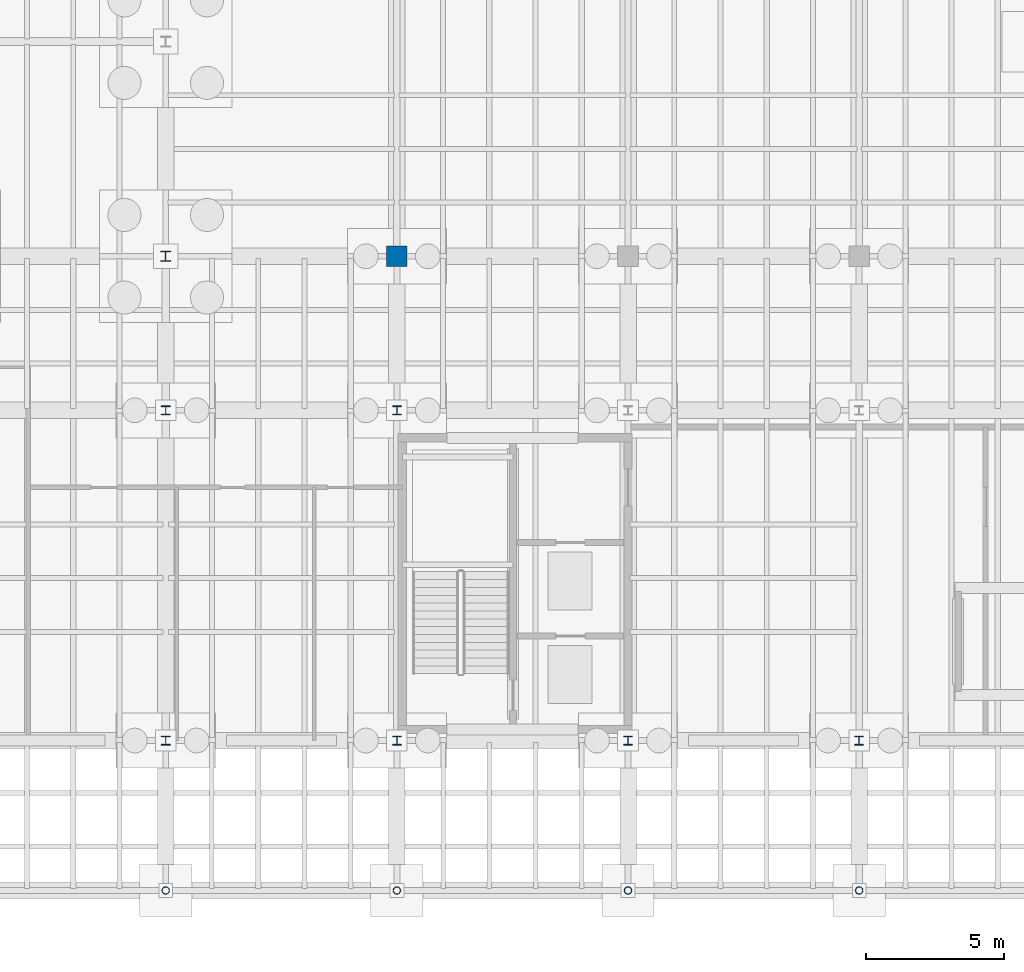
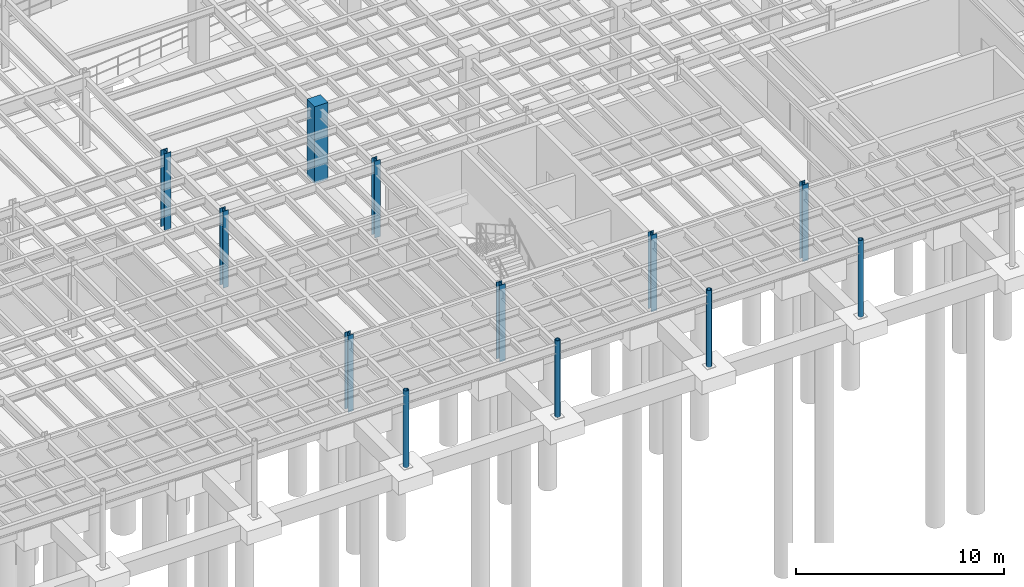
# One storey, part 11 of 41: 12 columns.
"""IFC4 building model written with IfcOpenShell, lengths in metres."""

from ifc_helpers import new_model, si_unit, direction, frame, origin, origin_2d, place, context, subcontext, project, spatial, rectangle, hollow_circle, i_section, extrude, material, material_profile, profile_set, type_object, element, save


model = new_model("IFC4")

# Units and contexts
model_context = context("Model", 3, precision=1e-05, world=origin(), true_north=direction((0.0, 1.0)))
body_context = subcontext(model_context, "Body", "Model", "MODEL_VIEW")
ifc_project = project(units=[si_unit("LENGTHUNIT", "METRE"), si_unit("AREAUNIT", "SQUARE_METRE"), si_unit("VOLUMEUNIT", "CUBIC_METRE"), si_unit("PLANEANGLEUNIT", "RADIAN"), si_unit("MASSUNIT", "GRAM", prefix="KILO")], contexts=[model_context])

# Site, building, storey
site_placement = place(None, origin())
site = spatial("IfcSite", under=ifc_project, at=site_placement, CompositionType="ELEMENT")
building_placement = place(site_placement, origin())
building = spatial("IfcBuilding", under=site, at=building_placement, Name="Selat Folded Stagehouse", CompositionType="ELEMENT")
storey_placement = place(building_placement, frame((0.0, 0.0, -4.5)))
storey = spatial("IfcBuildingStorey", under=building, at=storey_placement, Name="B1", CompositionType="ELEMENT", Elevation=-4.5)

# Columns
ifc_material_1 = material(Name="Steel S355", Category="steel")
ifc_material_profile_1 = material_profile(ifc_material_1, hollow_circle(Radius=0.136474609375, WallThickness=0.012451171875, at=origin_2d()), Name="CHS 273.0x12.5")
ifc_profile_set_1 = profile_set([ifc_material_profile_1], Name="Steel S355")
column_type_1 = type_object("IfcColumnType", Name="COL-CHS-273x12.5", PredefinedType="COLUMN", material=ifc_profile_set_1)
for number, where, z_axis, x_axis, name in (
    (1, (67.199951171875, 0.35009765625, 0.0), (0.0, 0.0, 1.0), (1.0, 0.0, 0.0), "B1 column STK-COLPOST-67"),
    (2, (75.60009765625, 0.35009765625, 0.0), (0.0, 0.0, 1.0), (1.0, 0.0, 0.0), "B1 column STK-COLPOST-75"),
    (3, (84.0, 0.35009765625, 0.0), (0.0, 0.0, 1.0), (1.0, 0.0, 0.0), "B1 column STK-COLPOST-84"),
    (4, (92.39990234375, 0.35009765625, 0.0), (0.0, 0.0, 1.0), (1.0, 0.0, 0.0), "B1 column STK-COLPOST-92"),
):
    element("IfcColumn", number, at=place(storey_placement, frame(where, z_axis=z_axis, x_axis=x_axis)), inside=storey, type_object=column_type_1, Name=name, PredefinedType="COLUMN", context=body_context, shape_type="SweptSolid", body=[
        extrude(hollow_circle(Radius=0.136474609375, WallThickness=0.012451171875, at=origin_2d()), origin(), (0.0, 0.0, 1.0), 4.5),
    ])
ifc_material_2 = material(Name="Concrete C50/60", Category="concrete")
ifc_material_profile_2 = material_profile(ifc_material_2, rectangle(XDim=0.75, YDim=0.75, at=origin_2d()), Name="RC 750x750")
ifc_profile_set_2 = profile_set([ifc_material_profile_2], Name="Concrete C50/60")
column_type_2 = type_object("IfcColumnType", Name="COL-RC-750x750", PredefinedType="COLUMN", material=ifc_profile_set_2)
column_1_placement = place(storey_placement, frame((75.60009765625, 23.39990234375, 0.0), z_axis=(0.0, 0.0, 1.0), x_axis=(1.0, 0.0, 0.0)))
element("IfcColumn", 5, at=column_1_placement, inside=storey, type_object=column_type_2, Name="B1 column STK-B1CP-75-234", PredefinedType="COLUMN", context=body_context, shape_type="SweptSolid", body=[
    extrude(rectangle(XDim=0.75, YDim=0.75, at=origin_2d()), origin(), (0.0, 0.0, 1.0), 4.5),
])
ifc_material_profile_3 = material_profile(ifc_material_1, i_section(OverallWidth=0.311279296875, OverallDepth=0.3271484375, WebThickness=0.015869140625, FlangeThickness=0.02490234375, FilletRadius=0.01513671875, at=origin_2d()), Name="UKC 305x305x158")
ifc_profile_set_3 = profile_set([ifc_material_profile_3], Name="Steel S355")
column_type_3 = type_object("IfcColumnType", Name="COL-UKC-305x305x158", PredefinedType="COLUMN", material=ifc_profile_set_3)
for number, where, z_axis, x_axis, name in (
    (6, (67.199951171875, 5.800048828125, 0.0), (0.0, 0.0, 1.0), (1.0, 0.0, 0.0), "B1 column STK-V5-67-58"),
    (7, (67.199951171875, 17.800048828125, 0.0), (0.0, 0.0, 1.0), (1.0, 0.0, 0.0), "B1 column STK-V5-67-178"),
    (8, (75.60009765625, 5.800048828125, 0.0), (0.0, 0.0, 1.0), (1.0, 0.0, 0.0), "B1 column STK-V5-75-58"),
    (9, (75.60009765625, 17.800048828125, 0.0), (0.0, 0.0, 1.0), (1.0, 0.0, 0.0), "B1 column STK-V5-75-178"),
    (10, (84.0, 5.800048828125, 0.0), (0.0, 0.0, 1.0), (1.0, 0.0, 0.0), "B1 column STK-V5-84-58"),
    (11, (92.39990234375, 5.800048828125, 0.0), (0.0, 0.0, 1.0), (1.0, 0.0, 0.0), "B1 column STK-V5-92-58"),
):
    element("IfcColumn", number, at=place(storey_placement, frame(where, z_axis=z_axis, x_axis=x_axis)), inside=storey, type_object=column_type_3, Name=name, PredefinedType="COLUMN", context=body_context, shape_type="SweptSolid", body=[
        extrude(i_section(OverallWidth=0.311279296875, OverallDepth=0.3271484375, WebThickness=0.015869140625, FlangeThickness=0.02490234375, FilletRadius=0.01513671875, at=origin_2d()), origin(), (0.0, 0.0, 1.0), 4.5),
    ])
ifc_material_profile_4 = material_profile(ifc_material_1, i_section(OverallWidth=0.374755859375, OverallDepth=0.37451171875, WebThickness=0.0166015625, FlangeThickness=0.027099609375, FilletRadius=0.01513671875, at=origin_2d()), Name="UKC 356x368x202")
ifc_profile_set_4 = profile_set([ifc_material_profile_4], Name="Steel S355")
column_type_4 = type_object("IfcColumnType", Name="COL-UKC-356x368x202", PredefinedType="COLUMN", material=ifc_profile_set_4)
column_2_placement = place(storey_placement, frame((67.199951171875, 23.39990234375, 0.0), z_axis=(0.0, 0.0, 1.0), x_axis=(1.0, 0.0, 0.0)))
element("IfcColumn", 12, at=column_2_placement, inside=storey, type_object=column_type_4, Name="B1 column STK-V2-21", PredefinedType="COLUMN", context=body_context, shape_type="SweptSolid", body=[
    extrude(i_section(OverallWidth=0.374755859375, OverallDepth=0.37451171875, WebThickness=0.0166015625, FlangeThickness=0.027099609375, FilletRadius=0.01513671875, at=origin_2d()), origin(), (0.0, 0.0, 1.0), 4.5),
])

save(model, "model.ifc")
